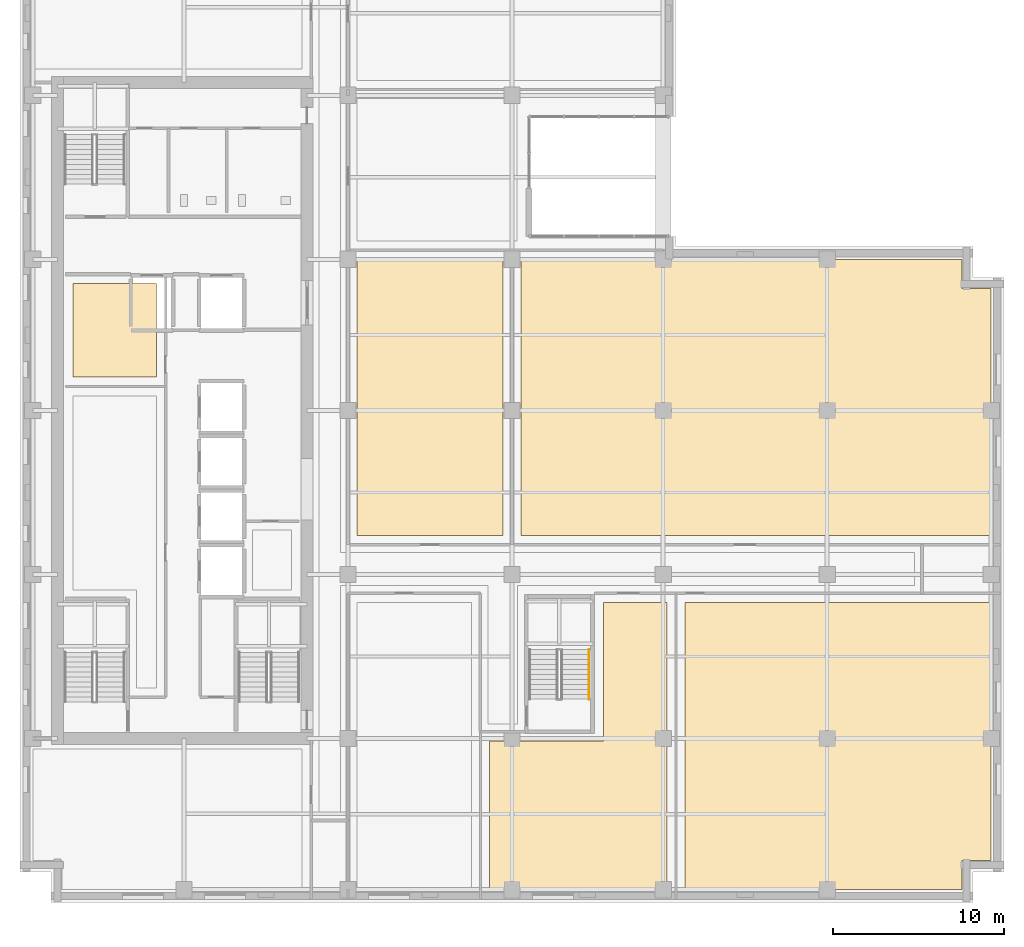
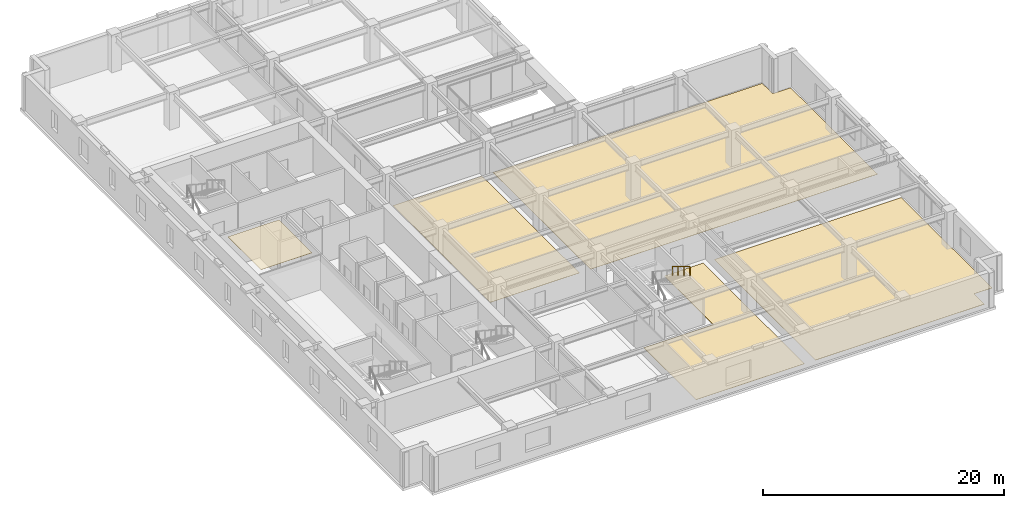
# One storey, part 10 of 13: 5 coverings, 1 railing.
"""IFC4 building model written with IfcOpenShell, lengths in metres."""

from ifc_helpers import new_model, si_unit, direction, frame, origin, origin_2d, place, context, subcontext, project, spatial, polyline, circle, outline, extrude, material, layer, layer_set, type_object, element, save


model = new_model("IFC4")

# Units and contexts
model_context = context("Model", 3, precision=1e-05, world=origin(), true_north=direction((0.0, 1.0)))
body_context = subcontext(model_context, "Body", "Model", "MODEL_VIEW")
ifc_project = project(units=[si_unit("LENGTHUNIT", "METRE"), si_unit("AREAUNIT", "SQUARE_METRE"), si_unit("VOLUMEUNIT", "CUBIC_METRE"), si_unit("PLANEANGLEUNIT", "RADIAN"), si_unit("MASSUNIT", "GRAM", prefix="KILO")], contexts=[model_context])

# Site, building, storey
site_placement = place(None, origin())
site = spatial("IfcSite", under=ifc_project, at=site_placement, CompositionType="ELEMENT")
building_placement = place(site_placement, origin())
building = spatial("IfcBuilding", under=site, at=building_placement, Name="Norrvale University Quadrangle", CompositionType="ELEMENT")
storey_placement = place(building_placement, frame((0.0, 0.0, 171.199951171875)))
storey = spatial("IfcBuildingStorey", under=building, at=storey_placement, Name="L43", CompositionType="ELEMENT", Elevation=171.199951171875)

# Coverings
ifc_material_1 = material(Name="Perforated Acoustic Mineral Ceiling")
ifc_layer_1 = layer(ifc_material_1, 0.02490234375, Name="Perforated Acoustic Mineral Ceiling")
ifc_layer_set_1 = layer_set([ifc_layer_1], Name="Perforated Acoustic Mineral Ceiling")
covering_type_1 = type_object("IfcCoveringType", Name="Covering Acoustic Ceiling 25", PredefinedType="CEILING", material=ifc_layer_set_1)
covering_1_placement = place(storey_placement, frame((0.0, 0.0, 3.51513671875)))
element("IfcCovering", 1, at=covering_1_placement, inside=storey, type_object=covering_type_1, Name="Acoustic Ceiling RM-L43-REC2", PredefinedType="CEILING", context=body_context, shape_type="SweptSolid", body=[
    extrude(outline(polyline([(3.10009765625, 30.75), (3.10009765625, 36.25), (8.0, 36.25), (8.0, 30.75), (3.10009765625, 30.75)])), origin(), (0.0, 0.0, 1.0), 0.02490234375),
])
ifc_material_2 = material(Name="Polished Terrazzo Flooring")
ifc_layer_2 = layer(ifc_material_2, 0.02490234375, Name="Polished Terrazzo Flooring")
ifc_layer_set_2 = layer_set([ifc_layer_2], Name="Polished Terrazzo Flooring")
covering_type_2 = type_object("IfcCoveringType", Name="Covering Terrazzo Floor 30", PredefinedType="FLOORING", material=ifc_layer_set_2)
covering_2_placement = place(storey_placement, origin())
element("IfcCovering", 2, at=covering_2_placement, inside=storey, type_object=covering_type_2, Name="Terrazzo Flooring RM-L43-SE2", PredefinedType="FLOORING", context=body_context, shape_type="SweptSolid", body=[
    extrude(outline(polyline([(34.14990234375, 9.449951171875), (34.14990234375, 17.570068359375), (37.8701171875, 17.570068359375), (37.8701171875, 0.75), (27.47998046875, 0.75), (27.47998046875, 9.449951171875), (34.14990234375, 9.449951171875)])), origin(), (0.0, 0.0, 1.0), 0.025146484375),
])
covering_3_placement = place(storey_placement, origin())
element("IfcCovering", 3, at=covering_3_placement, inside=storey, type_object=covering_type_2, Name="Terrazzo Flooring RM-L43-SE3", PredefinedType="FLOORING", context=body_context, shape_type="SweptSolid", body=[
    extrude(outline(polyline([(38.929931640625, 17.570068359375), (56.85009765625, 17.570068359375), (56.85009765625, 2.469970703125), (55.1298828125, 2.469970703125), (55.1298828125, 0.75), (38.929931640625, 0.75), (38.929931640625, 17.570068359375)])), origin(), (0.0, 0.0, 1.0), 0.025146484375),
])
covering_4_placement = place(storey_placement, origin())
element("IfcCovering", 4, at=covering_4_placement, inside=storey, type_object=covering_type_2, Name="Terrazzo Flooring RM-L43-ME01", PredefinedType="FLOORING", context=body_context, shape_type="SweptSolid", body=[
    extrude(outline(polyline([(28.27001953125, 37.64990234375), (28.27001953125, 21.47998046875), (19.72998046875, 21.47998046875), (19.72998046875, 37.64990234375), (28.27001953125, 37.64990234375)])), origin(), (0.0, 0.0, 1.0), 0.025146484375),
])
covering_5_placement = place(storey_placement, origin())
element("IfcCovering", 5, at=covering_5_placement, inside=storey, type_object=covering_type_2, Name="Terrazzo Flooring RM-L43-ME02", PredefinedType="FLOORING", context=body_context, shape_type="SweptSolid", body=[
    extrude(outline(polyline([(29.330078125, 21.47998046875), (29.330078125, 37.64990234375), (55.1298828125, 37.64990234375), (55.1298828125, 35.929931640625), (56.85009765625, 35.929931640625), (56.85009765625, 21.47998046875), (29.330078125, 21.47998046875)])), origin(), (0.0, 0.0, 1.0), 0.025146484375),
])

# Railing
ifc_material_3 = material(Name="Stainless Steel 316L Handrail", Category="steel")
railing_type = type_object("IfcRailingType", Name="Railing Stair Handrail 920", PredefinedType="HANDRAIL", material=ifc_material_3)
railing_placement = place(storey_placement, frame((33.31005859375, 14.800048828125, 2.07275390625)))
element("IfcRailing", 6, at=railing_placement, inside=storey, type_object=railing_type, Name="Stair Upper Flight Handrail ST-04 L43", PredefinedType="HANDRAIL", context=body_context, shape_type="SweptSolid", body=[
    extrude(circle(Radius=0.02392578125, at=origin_2d()), frame((0.0, 0.0, 0.89599609375), z_axis=(0.0, -0.859160404282, 0.51170636083), x_axis=(1.0, 0.0, 0.0)), (0.0, 0.0, 1.0), 3.37548828125),
    extrude(circle(Radius=0.02099609375, at=origin_2d()), origin(), (0.0, 0.0, 1.0), 0.871826171875),
    extrude(circle(Radius=0.02099609375, at=origin_2d()), frame((0.0, -0.966796875, 0.57568359375)), (0.0, 0.0, 1.0), 0.871826171875),
    extrude(circle(Radius=0.02099609375, at=origin_2d()), frame((0.0, -1.933349609375, 1.151611328125)), (0.0, 0.0, 1.0), 0.871826171875),
    extrude(circle(Radius=0.02099609375, at=origin_2d()), frame((0.0, -2.900146484375, 1.727294921875)), (0.0, 0.0, 1.0), 0.871826171875),
])

save(model, "model.ifc")
